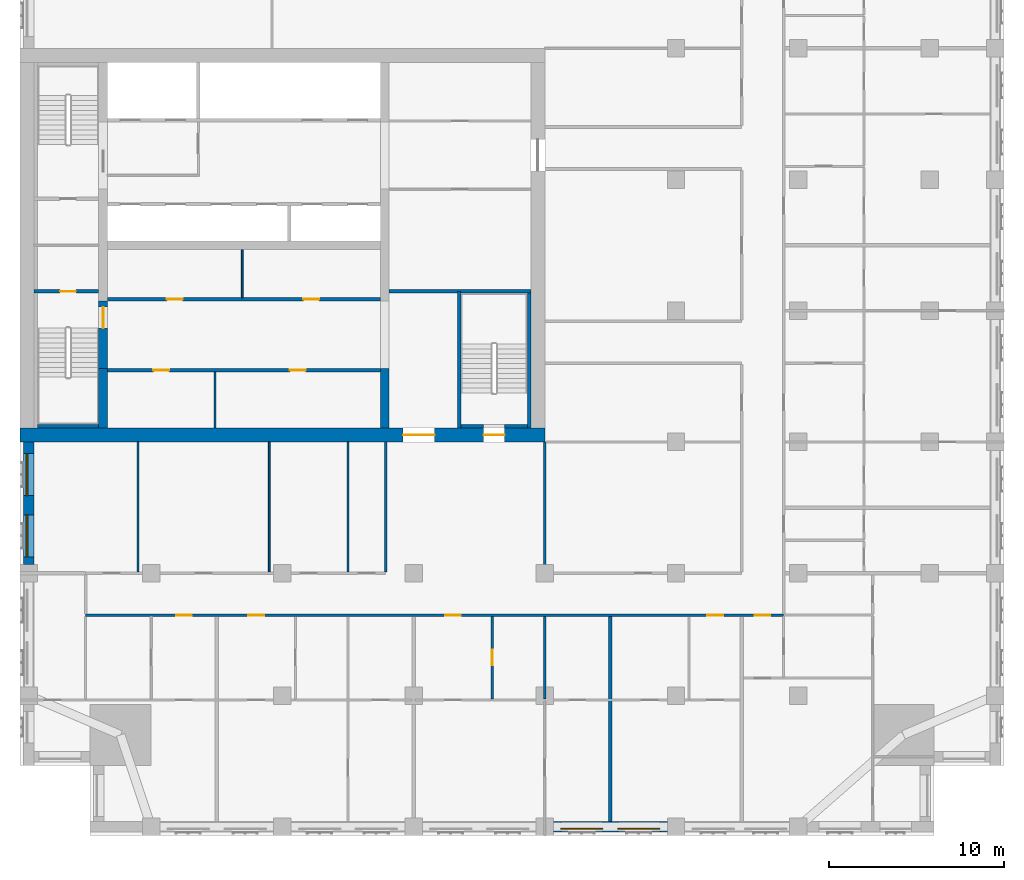
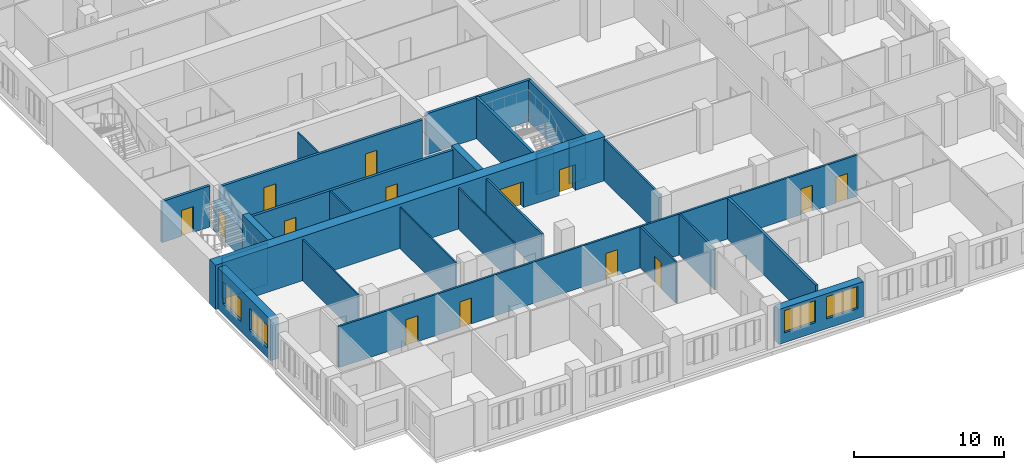
# One storey, part 5 of 14: 26 walls, 14 doors, 4 windows, 18 openings.
"""IFC4 building model written with IfcOpenShell, lengths in metres."""

from ifc_helpers import new_model, si_unit, direction, frame, frame_2d, origin, place, context, subcontext, project, spatial, rectangle, extrude, material, layer, layer_set, type_object, element, fill, save


model = new_model("IFC4")

# Units and contexts
model_context = context("Model", 3, precision=1e-05, world=origin(), true_north=direction((0.0, 1.0)))
body_context = subcontext(model_context, "Body", "Model", "MODEL_VIEW")
ifc_project = project(units=[si_unit("LENGTHUNIT", "METRE"), si_unit("AREAUNIT", "SQUARE_METRE"), si_unit("VOLUMEUNIT", "CUBIC_METRE"), si_unit("PLANEANGLEUNIT", "RADIAN"), si_unit("MASSUNIT", "GRAM", prefix="KILO")], contexts=[model_context])

# Site, building, storey
site_placement = place(None, origin())
site = spatial("IfcSite", under=ifc_project, at=site_placement, CompositionType="ELEMENT")
building_placement = place(site_placement, origin())
building = spatial("IfcBuilding", under=site, at=building_placement, Name="Tamorin Gate", CompositionType="ELEMENT")
storey_placement = place(building_placement, frame((0.0, 0.0, 137.39990234375)))
storey = spatial("IfcBuildingStorey", under=building, at=storey_placement, Name="L33", CompositionType="ELEMENT", Elevation=137.39990234375)

# Wall, openings, windows
ifc_material_1 = material(Name="Precast concrete C40/50", Category="concrete")
ifc_layer_1 = layer(ifc_material_1, 0.60009765625)
ifc_layer_set_1 = layer_set([ifc_layer_1], Name="Precast concrete C40/50")
wall_type_1 = type_object("IfcWallType", Name="Board-marked concrete facade panel 600", PredefinedType="SOLIDWALL", material=ifc_layer_set_1)
wall_1_placement = place(storey_placement, frame((60.5, 38.0, 0.0), z_axis=(0.0, 0.0, 1.0), x_axis=(1.0, 0.0, 0.0)))
wall_1 = element("IfcWall", 1, at=wall_1_placement, inside=storey, type_object=wall_type_1, Name="Facade panel", PredefinedType="SOLIDWALL", context=body_context, shape_type="SweptSolid", body=[
    extrude(rectangle(XDim=6.5, YDim=0.60009765625, at=frame_2d((3.25, 0.0))), origin(), (0.0, 0.0, 1.0), 2.85009765625),
])
opening_1_placement = place(wall_1_placement, frame((0.425048828125, 0.0, 0.800048828125)))
opening_1 = element("IfcOpeningElement", 2, at=opening_1_placement, cuts=wall_1, Name="Opening WN1", PredefinedType="OPENING", context=body_context, shape_type="SweptSolid", body=[
    extrude(rectangle(XDim=2.39990234375, YDim=1.800048828125, at=frame_2d((1.199951171875, 0.89990234375))), frame((0.0, 0.31005859375, 0.0), z_axis=(0.0, -1.0, 0.0), x_axis=(1.0, 0.0, 0.0)), (0.0, 0.0, 1.0), 0.6201171875),
])
opening_2_placement = place(wall_1_placement, frame((3.675048828125, 0.0, 0.800048828125)))
opening_2 = element("IfcOpeningElement", 3, at=opening_2_placement, cuts=wall_1, Name="Opening WN1", PredefinedType="OPENING", context=body_context, shape_type="SweptSolid", body=[
    extrude(rectangle(XDim=2.39990234375, YDim=1.800048828125, at=frame_2d((1.199951171875, 0.89990234375))), frame((0.0, 0.31005859375, 0.0), z_axis=(0.0, -1.0, 0.0), x_axis=(1.0, 0.0, 0.0)), (0.0, 0.0, 1.0), 0.6201171875),
])
ifc_material_2 = material(Name="Clear glass in aluminium frame", Category="aluminium")
window_type = type_object("IfcWindowType", Name="Deep-set window 2400x1800", PartitioningType="SINGLE_PANEL", PredefinedType="WINDOW", material=ifc_material_2)
window_1_placement = place(opening_1_placement, origin())
window_1 = element("IfcWindow", 4, at=window_1_placement, inside=storey, type_object=window_type, Name="Deep-set window", OverallHeight=1.800048828125, OverallWidth=2.39990234375, PartitioningType="SINGLE_PANEL", PredefinedType="WINDOW", context=body_context, shape_type="SweptSolid", body=[
    extrude(rectangle(XDim=2.39990234375, YDim=1.800048828125, at=frame_2d((1.199951171875, 0.89990234375))), frame((0.0, -0.070068359375, 0.0), z_axis=(0.0, -1.0, 0.0), x_axis=(1.0, 0.0, 0.0)), (0.0, 0.0, 1.0), 0.06005859375),
])
fill(opening_1, window_1)
window_2_placement = place(opening_2_placement, origin())
window_2 = element("IfcWindow", 5, at=window_2_placement, inside=storey, type_object=window_type, Name="Deep-set window", OverallHeight=1.800048828125, OverallWidth=2.39990234375, PartitioningType="SINGLE_PANEL", PredefinedType="WINDOW", context=body_context, shape_type="SweptSolid", body=[
    extrude(rectangle(XDim=2.39990234375, YDim=1.800048828125, at=frame_2d((1.199951171875, 0.89990234375))), frame((0.0, -0.070068359375, 0.0), z_axis=(0.0, -1.0, 0.0), x_axis=(1.0, 0.0, 0.0)), (0.0, 0.0, 1.0), 0.06005859375),
])
fill(opening_2, window_2)

wall_2_placement = place(storey_placement, frame((30.5, 60.0, 0.0), z_axis=(0.0, 0.0, 1.0), x_axis=(0.0, -1.0, 0.0)))
wall_2 = element("IfcWall", 6, at=wall_2_placement, inside=storey, type_object=wall_type_1, Name="Facade panel", PredefinedType="SOLIDWALL", context=body_context, shape_type="SweptSolid", body=[
    extrude(rectangle(XDim=7.0, YDim=0.60009765625, at=frame_2d((3.5, 0.0))), origin(), (0.0, 0.0, 1.0), 3.35009765625),
])
opening_3_placement = place(wall_2_placement, frame((4.175048828125, 0.0, 0.800048828125)))
opening_3 = element("IfcOpeningElement", 7, at=opening_3_placement, cuts=wall_2, Name="Opening WN1", PredefinedType="OPENING", context=body_context, shape_type="SweptSolid", body=[
    extrude(rectangle(XDim=2.39990234375, YDim=1.800048828125, at=frame_2d((1.199951171875, 0.89990234375))), frame((0.0, 0.31005859375, 0.0), z_axis=(0.0, -1.0, 0.0), x_axis=(1.0, 0.0, 0.0)), (0.0, 0.0, 1.0), 0.6201171875),
])
opening_4_placement = place(wall_2_placement, frame((0.675048828125, 0.0, 0.800048828125)))
opening_4 = element("IfcOpeningElement", 8, at=opening_4_placement, cuts=wall_2, Name="Opening WN1", PredefinedType="OPENING", context=body_context, shape_type="SweptSolid", body=[
    extrude(rectangle(XDim=2.39990234375, YDim=1.800048828125, at=frame_2d((1.199951171875, 0.89990234375))), frame((0.0, 0.31005859375, 0.0), z_axis=(0.0, -1.0, 0.0), x_axis=(1.0, 0.0, 0.0)), (0.0, 0.0, 1.0), 0.6201171875),
])
window_3_placement = place(opening_3_placement, origin())
window_3 = element("IfcWindow", 9, at=window_3_placement, inside=storey, type_object=window_type, Name="Deep-set window", OverallHeight=1.800048828125, OverallWidth=2.39990234375, PartitioningType="SINGLE_PANEL", PredefinedType="WINDOW", context=body_context, shape_type="SweptSolid", body=[
    extrude(rectangle(XDim=2.39990234375, YDim=1.800048828125, at=frame_2d((1.199951171875, 0.89990234375))), frame((0.0, -0.070068359375, 0.0), z_axis=(0.0, -1.0, 0.0), x_axis=(1.0, 0.0, 0.0)), (0.0, 0.0, 1.0), 0.06005859375),
])
fill(opening_3, window_3)
window_4_placement = place(opening_4_placement, origin())
window_4 = element("IfcWindow", 10, at=window_4_placement, inside=storey, type_object=window_type, Name="Deep-set window", OverallHeight=1.800048828125, OverallWidth=2.39990234375, PartitioningType="SINGLE_PANEL", PredefinedType="WINDOW", context=body_context, shape_type="SweptSolid", body=[
    extrude(rectangle(XDim=2.39990234375, YDim=1.800048828125, at=frame_2d((1.199951171875, 0.89990234375))), frame((0.0, -0.070068359375, 0.0), z_axis=(0.0, -1.0, 0.0), x_axis=(1.0, 0.0, 0.0)), (0.0, 0.0, 1.0), 0.06005859375),
])
fill(opening_4, window_4)

# Wall, openings, doors
ifc_material_3 = material(Name="Gypsum board partition")
ifc_layer_2 = layer(ifc_material_3, 0.14990234375)
ifc_layer_set_2 = layer_set([ifc_layer_2], Name="Corridor wall 150")
wall_type_2 = type_object("IfcWallType", Name="Corridor wall 150", PredefinedType="PARTITIONING", material=ifc_layer_set_2)
wall_3_placement = place(storey_placement, frame((33.75, 50.10009765625, 0.0), z_axis=(0.0, 0.0, 1.0), x_axis=(1.0, 0.0, 0.0)))
wall_3 = element("IfcWall", 11, at=wall_3_placement, inside=storey, type_object=wall_type_2, Name="Corridor wall 150", PredefinedType="PARTITIONING", context=body_context, shape_type="SweptSolid", body=[
    extrude(rectangle(XDim=39.89990234375, YDim=0.14990234375, at=frame_2d((19.949951171875, 0.0))), origin(), (0.0, 0.0, 1.0), 3.35009765625),
])
opening_5_placement = place(wall_3_placement, frame((5.175048828125, 0.0, 0.0)))
opening_5 = element("IfcOpeningElement", 12, at=opening_5_placement, cuts=wall_3, Name="Opening DS3003", PredefinedType="OPENING", context=body_context, shape_type="SweptSolid", body=[
    extrude(rectangle(XDim=0.89990234375, YDim=2.10009765625, at=frame_2d((0.449951171875, 1.050048828125))), frame((0.0, 0.0849609375, 0.0), z_axis=(0.0, -1.0, 0.0), x_axis=(1.0, 0.0, 0.0)), (0.0, 0.0, 1.0), 0.169921875),
])
opening_6_placement = place(wall_3_placement, frame((9.300048828125, 0.0, 0.0)))
opening_6 = element("IfcOpeningElement", 13, at=opening_6_placement, cuts=wall_3, Name="Opening DS3005", PredefinedType="OPENING", context=body_context, shape_type="SweptSolid", body=[
    extrude(rectangle(XDim=0.89990234375, YDim=2.10009765625, at=frame_2d((0.449951171875, 1.050048828125))), frame((0.0, 0.0849609375, 0.0), z_axis=(0.0, -1.0, 0.0), x_axis=(1.0, 0.0, 0.0)), (0.0, 0.0, 1.0), 0.169921875),
])
opening_7_placement = place(wall_3_placement, frame((20.550048828125, 0.0, 0.0)))
opening_7 = element("IfcOpeningElement", 14, at=opening_7_placement, cuts=wall_3, Name="Opening DS3010", PredefinedType="OPENING", context=body_context, shape_type="SweptSolid", body=[
    extrude(rectangle(XDim=0.89990234375, YDim=2.10009765625, at=frame_2d((0.449951171875, 1.050048828125))), frame((0.0, 0.0849609375, 0.0), z_axis=(0.0, -1.0, 0.0), x_axis=(1.0, 0.0, 0.0)), (0.0, 0.0, 1.0), 0.169921875),
])
opening_8_placement = place(wall_3_placement, frame((35.550048828125, 0.0, 0.0)))
opening_8 = element("IfcOpeningElement", 15, at=opening_8_placement, cuts=wall_3, Name="Opening DS3016", PredefinedType="OPENING", context=body_context, shape_type="SweptSolid", body=[
    extrude(rectangle(XDim=0.89990234375, YDim=2.10009765625, at=frame_2d((0.449951171875, 1.050048828125))), frame((0.0, 0.0849609375, 0.0), z_axis=(0.0, -1.0, 0.0), x_axis=(1.0, 0.0, 0.0)), (0.0, 0.0, 1.0), 0.169921875),
])
opening_9_placement = place(wall_3_placement, frame((38.25, 0.0, 0.0)))
opening_9 = element("IfcOpeningElement", 16, at=opening_9_placement, cuts=wall_3, Name="Opening DS3056", PredefinedType="OPENING", context=body_context, shape_type="SweptSolid", body=[
    extrude(rectangle(XDim=0.89990234375, YDim=2.10009765625, at=frame_2d((0.449951171875, 1.050048828125))), frame((0.0, 0.0849609375, 0.0), z_axis=(0.0, -1.0, 0.0), x_axis=(1.0, 0.0, 0.0)), (0.0, 0.0, 1.0), 0.169921875),
])
ifc_material_4 = material(Name="Timber door leaf", Category="wood")
door_type_1 = type_object("IfcDoorType", Name="Door 900 x 2100 FD30S", OperationType="NOTDEFINED", PredefinedType="DOOR", material=ifc_material_4)
door_1_placement = place(opening_5_placement, origin())
door_1 = element("IfcDoor", 17, at=door_1_placement, inside=storey, type_object=door_type_1, Name="Door DS3003", OperationType="SINGLE_SWING_RIGHT", OverallHeight=2.10009765625, OverallWidth=0.89990234375, PredefinedType="DOOR", context=body_context, shape_type="SweptSolid", body=[
    extrude(rectangle(XDim=0.89990234375, YDim=2.10009765625, at=frame_2d((0.449951171875, 1.050048828125))), frame((0.0, 0.02490234375, 0.0), z_axis=(0.0, -1.0, 0.0), x_axis=(1.0, 0.0, 0.0)), (0.0, 0.0, 1.0), 0.050048828125),
])
fill(opening_5, door_1)
door_2_placement = place(opening_6_placement, origin())
door_2 = element("IfcDoor", 18, at=door_2_placement, inside=storey, type_object=door_type_1, Name="Door DS3005", OperationType="SINGLE_SWING_RIGHT", OverallHeight=2.10009765625, OverallWidth=0.89990234375, PredefinedType="DOOR", context=body_context, shape_type="SweptSolid", body=[
    extrude(rectangle(XDim=0.89990234375, YDim=2.10009765625, at=frame_2d((0.449951171875, 1.050048828125))), frame((0.0, 0.02490234375, 0.0), z_axis=(0.0, -1.0, 0.0), x_axis=(1.0, 0.0, 0.0)), (0.0, 0.0, 1.0), 0.050048828125),
])
fill(opening_6, door_2)
door_3_placement = place(opening_7_placement, origin())
door_3 = element("IfcDoor", 19, at=door_3_placement, inside=storey, type_object=door_type_1, Name="Door DS3010", OperationType="SINGLE_SWING_RIGHT", OverallHeight=2.10009765625, OverallWidth=0.89990234375, PredefinedType="DOOR", context=body_context, shape_type="SweptSolid", body=[
    extrude(rectangle(XDim=0.89990234375, YDim=2.10009765625, at=frame_2d((0.449951171875, 1.050048828125))), frame((0.0, 0.02490234375, 0.0), z_axis=(0.0, -1.0, 0.0), x_axis=(1.0, 0.0, 0.0)), (0.0, 0.0, 1.0), 0.050048828125),
])
fill(opening_7, door_3)
door_4_placement = place(opening_8_placement, origin())
door_4 = element("IfcDoor", 20, at=door_4_placement, inside=storey, type_object=door_type_1, Name="Door DS3016", OperationType="SINGLE_SWING_RIGHT", OverallHeight=2.10009765625, OverallWidth=0.89990234375, PredefinedType="DOOR", context=body_context, shape_type="SweptSolid", body=[
    extrude(rectangle(XDim=0.89990234375, YDim=2.10009765625, at=frame_2d((0.449951171875, 1.050048828125))), frame((0.0, 0.02490234375, 0.0), z_axis=(0.0, -1.0, 0.0), x_axis=(1.0, 0.0, 0.0)), (0.0, 0.0, 1.0), 0.050048828125),
])
fill(opening_8, door_4)
door_5_placement = place(opening_9_placement, origin())
door_5 = element("IfcDoor", 21, at=door_5_placement, inside=storey, type_object=door_type_1, Name="Door DS3056", OperationType="SINGLE_SWING_LEFT", OverallHeight=2.10009765625, OverallWidth=0.89990234375, PredefinedType="DOOR", context=body_context, shape_type="SweptSolid", body=[
    extrude(rectangle(XDim=0.89990234375, YDim=2.10009765625, at=frame_2d((0.449951171875, 1.050048828125))), frame((0.0, 0.02490234375, 0.0), z_axis=(0.0, -1.0, 0.0), x_axis=(1.0, 0.0, 0.0)), (0.0, 0.0, 1.0), 0.050048828125),
])
fill(opening_9, door_5)

# Walls
ifc_layer_3 = layer(ifc_material_3, 0.199951171875)
ifc_layer_set_3 = layer_set([ifc_layer_3], Name="Demising wall 200")
wall_type_3 = type_object("IfcWallType", Name="Demising wall 200", PredefinedType="PARTITIONING", material=ifc_layer_set_3)
wall_4_placement = place(storey_placement, frame((63.75, 38.31005859375, 0.0), z_axis=(0.0, 0.0, 1.0), x_axis=(0.0, 1.0, 0.0)))
element("IfcWall", 22, at=wall_4_placement, inside=storey, type_object=wall_type_3, Name="Demising wall 200", PredefinedType="PARTITIONING", context=body_context, shape_type="SweptSolid", body=[
    extrude(rectangle(XDim=11.71484375, YDim=0.199951171875, at=frame_2d((5.857421875, 0.0))), origin(), (0.0, 0.0, 1.0), 3.35009765625),
])
ifc_layer_4 = layer(ifc_material_3, 0.14990234375)
ifc_layer_set_4 = layer_set([ifc_layer_4], Name="Lobby wall 150")
wall_type_4 = type_object("IfcWallType", Name="Lobby wall 150", PredefinedType="PARTITIONING", material=ifc_layer_set_4)
for number, where, z_axis, x_axis, name in (
    (23, (50.89990234375, 52.574951171875, 0.0), (0.0, 0.0, 1.0), (0.0, 1.0, 0.0), "Lobby wall 150"),
    (24, (60.0, 52.574951171875, 0.0), (0.0, 0.0, 1.0), (0.0, 1.0, 0.0), "Lobby wall 150"),
):
    element("IfcWall", number, at=place(storey_placement, frame(where, z_axis=z_axis, x_axis=x_axis)), inside=storey, type_object=wall_type_4, Name=name, PredefinedType="PARTITIONING", context=body_context, shape_type="SweptSolid", body=[
        extrude(rectangle(XDim=7.425048828125, YDim=0.14990234375, at=frame_2d((3.71240234375, 0.0))), origin(), (0.0, 0.0, 1.0), 3.35009765625),
    ])
ifc_material_5 = material(Name="Concrete C60/75", Category="concrete")
ifc_layer_5 = layer(ifc_material_5, 0.5)
ifc_layer_set_5 = layer_set([ifc_layer_5], Name="RC core internal wall 500 C60/75")
wall_type_5 = type_object("IfcWallType", Name="RC core internal wall 500 C60/75", PredefinedType="SHEAR", material=ifc_layer_set_5)
for number, where, z_axis, x_axis, name in (
    (25, (34.75, 60.800048828125, 0.0), (0.0, 0.0, 1.0), (0.0, 1.0, 0.0), "Core cross wall L33"),
    (26, (50.85009765625, 60.800048828125, 0.0), (0.0, 0.0, 1.0), (0.0, 1.0, 0.0), "Core cross wall L33"),
):
    element("IfcWall", number, at=place(storey_placement, frame(where, z_axis=z_axis, x_axis=x_axis)), inside=storey, type_object=wall_type_5, Name=name, PredefinedType="SHEAR", context=body_context, shape_type="SweptSolid", body=[
        extrude(rectangle(XDim=3.39990234375, YDim=0.5, at=frame_2d((1.699951171875, 0.0))), origin(), (0.0, 0.0, 1.0), 3.60009765625),
    ])

# Wall, openings, doors
ifc_layer_6 = layer(ifc_material_5, 0.800048828125)
ifc_layer_set_6 = layer_set([ifc_layer_6], Name="RC core wall 800 C60/75")
wall_type_6 = type_object("IfcWallType", Name="RC core wall 800 C60/75", PredefinedType="SHEAR", material=ifc_layer_set_6)
wall_5_placement = place(storey_placement, frame((30.0, 60.39990234375, 0.0), z_axis=(0.0, 0.0, 1.0), x_axis=(1.0, 0.0, 0.0)))
wall_5 = element("IfcWall", 27, at=wall_5_placement, inside=storey, type_object=wall_type_6, Name="Core wall L33", PredefinedType="SHEAR", context=body_context, shape_type="SweptSolid", body=[
    extrude(rectangle(XDim=30.0, YDim=0.800048828125, at=frame_2d((15.0, 0.0))), origin(), (0.0, 0.0, 1.0), 3.60009765625),
])
opening_10_placement = place(wall_5_placement, frame((21.89990234375, 0.0, 0.0)))
opening_10 = element("IfcOpeningElement", 28, at=opening_10_placement, cuts=wall_5, Name="Opening DE1", PredefinedType="OPENING", context=body_context, shape_type="SweptSolid", body=[
    extrude(rectangle(XDim=1.800048828125, YDim=2.10009765625, at=frame_2d((0.89990234375, 1.050048828125))), frame((0.0, 0.409912109375, 0.0), z_axis=(0.0, -1.0, 0.0), x_axis=(1.0, 0.0, 0.0)), (0.0, 0.0, 1.0), 0.820068359375),
])
opening_11_placement = place(wall_5_placement, frame((26.5, 0.0, 0.0)))
opening_11 = element("IfcOpeningElement", 29, at=opening_11_placement, cuts=wall_5, Name="Opening DS1", PredefinedType="OPENING", context=body_context, shape_type="SweptSolid", body=[
    extrude(rectangle(XDim=1.199951171875, YDim=2.10009765625, at=frame_2d((0.60009765625, 1.050048828125))), frame((0.0, 0.409912109375, 0.0), z_axis=(0.0, -1.0, 0.0), x_axis=(1.0, 0.0, 0.0)), (0.0, 0.0, 1.0), 0.820068359375),
])
ifc_material_6 = material(Name="Steel fire door", Category="steel")
door_type_2 = type_object("IfcDoorType", Name="Lobby exit double door 1800 x 2100 EI 60", OperationType="DOUBLE_DOOR_SINGLE_SWING", PredefinedType="DOOR", material=ifc_material_6)
door_6_placement = place(opening_10_placement, origin())
door_6 = element("IfcDoor", 30, at=door_6_placement, inside=storey, type_object=door_type_2, Name="Lift lobby A exit door", OperationType="DOUBLE_DOOR_SINGLE_SWING", OverallHeight=2.10009765625, OverallWidth=1.800048828125, PredefinedType="DOOR", context=body_context, shape_type="SweptSolid", body=[
    extrude(rectangle(XDim=1.800048828125, YDim=2.10009765625, at=frame_2d((0.89990234375, 1.050048828125))), frame((0.0, 0.02490234375, 0.0), z_axis=(0.0, -1.0, 0.0), x_axis=(1.0, 0.0, 0.0)), (0.0, 0.0, 1.0), 0.050048828125),
])
fill(opening_10, door_6)
door_type_3 = type_object("IfcDoorType", Name="Stair door 1200 x 2100 EI 90", OperationType="SINGLE_SWING_LEFT", PredefinedType="DOOR", material=ifc_material_6)
door_7_placement = place(opening_11_placement, origin())
door_7 = element("IfcDoor", 31, at=door_7_placement, inside=storey, type_object=door_type_3, Name="ST3 door", OperationType="SINGLE_SWING_LEFT", OverallHeight=2.10009765625, OverallWidth=1.199951171875, PredefinedType="DOOR", context=body_context, shape_type="SweptSolid", body=[
    extrude(rectangle(XDim=1.199951171875, YDim=2.10009765625, at=frame_2d((0.60009765625, 1.050048828125))), frame((0.0, 0.02490234375, 0.0), z_axis=(0.0, -1.0, 0.0), x_axis=(1.0, 0.0, 0.0)), (0.0, 0.0, 1.0), 0.050048828125),
])
fill(opening_11, door_7)

# Walls
ifc_layer_7 = layer(ifc_material_3, 0.10009765625)
ifc_layer_set_7 = layer_set([ifc_layer_7], Name="Room partition 100")
wall_type_7 = type_object("IfcWallType", Name="Room partition 100", PredefinedType="PARTITIONING", material=ifc_layer_set_7)
for number, where, z_axis, x_axis, name in (
    (32, (36.75, 52.574951171875, 0.0), (0.0, 0.0, 1.0), (0.0, 1.0, 0.0), "Room partition 100"),
    (33, (44.25, 52.574951171875, 0.0), (0.0, 0.0, 1.0), (0.0, 1.0, 0.0), "Room partition 100"),
    (34, (48.75, 52.574951171875, 0.0), (0.0, 0.0, 1.0), (0.0, 1.0, 0.0), "Room partition 100"),
):
    element("IfcWall", number, at=place(storey_placement, frame(where, z_axis=z_axis, x_axis=x_axis)), inside=storey, type_object=wall_type_7, Name=name, PredefinedType="PARTITIONING", context=body_context, shape_type="SweptSolid", body=[
        extrude(rectangle(XDim=7.425048828125, YDim=0.10009765625, at=frame_2d((3.71240234375, 0.0))), origin(), (0.0, 0.0, 1.0), 3.35009765625),
    ])

# Wall, openings, doors
ifc_layer_8 = layer(ifc_material_3, 0.199951171875)
ifc_layer_set_8 = layer_set([ifc_layer_8], Name="Service room face wall 200 EI 60")
wall_type_8 = type_object("IfcWallType", Name="Service room face wall 200 EI 60", PredefinedType="PARTITIONING", material=ifc_layer_set_8)
wall_6_placement = place(storey_placement, frame((35.0, 64.10009765625, 0.0), z_axis=(0.0, 0.0, 1.0), x_axis=(1.0, 0.0, 0.0)))
wall_6 = element("IfcWall", 35, at=wall_6_placement, inside=storey, type_object=wall_type_8, Name="Service room face wall", PredefinedType="PARTITIONING", context=body_context, shape_type="SweptSolid", body=[
    extrude(rectangle(XDim=15.60009765625, YDim=0.199951171875, at=frame_2d((7.800048828125, 0.0))), origin(), (0.0, 0.0, 1.0), 3.35009765625),
])
opening_12_placement = place(wall_6_placement, frame((2.625, 0.0, 0.0)))
opening_12 = element("IfcOpeningElement", 36, at=opening_12_placement, cuts=wall_6, Name="Opening DK1", PredefinedType="OPENING", context=body_context, shape_type="SweptSolid", body=[
    extrude(rectangle(XDim=0.89990234375, YDim=2.10009765625, at=frame_2d((0.449951171875, 1.050048828125))), frame((0.0, 0.10986328125, 0.0), z_axis=(0.0, -1.0, 0.0), x_axis=(1.0, 0.0, 0.0)), (0.0, 0.0, 1.0), 0.219970703125),
])
opening_13_placement = place(wall_6_placement, frame((10.425048828125, 0.0, 0.0)))
opening_13 = element("IfcOpeningElement", 37, at=opening_13_placement, cuts=wall_6, Name="Opening DK1", PredefinedType="OPENING", context=body_context, shape_type="SweptSolid", body=[
    extrude(rectangle(XDim=0.89990234375, YDim=2.10009765625, at=frame_2d((0.449951171875, 1.050048828125))), frame((0.0, 0.10986328125, 0.0), z_axis=(0.0, -1.0, 0.0), x_axis=(1.0, 0.0, 0.0)), (0.0, 0.0, 1.0), 0.219970703125),
])
ifc_material_7 = material(Name="Timber fire door", Category="wood")
door_type_4 = type_object("IfcDoorType", Name="Service room door 900 x 2100 EI 60", OperationType="SINGLE_SWING_LEFT", PredefinedType="DOOR", material=ifc_material_7)
door_8_placement = place(opening_12_placement, origin())
door_8 = element("IfcDoor", 38, at=door_8_placement, inside=storey, type_object=door_type_4, Name="Door Pantry", OperationType="SINGLE_SWING_LEFT", OverallHeight=2.10009765625, OverallWidth=0.89990234375, PredefinedType="DOOR", context=body_context, shape_type="SweptSolid", body=[
    extrude(rectangle(XDim=0.89990234375, YDim=2.10009765625, at=frame_2d((0.449951171875, 1.050048828125))), frame((0.0, 0.02490234375, 0.0), z_axis=(0.0, -1.0, 0.0), x_axis=(1.0, 0.0, 0.0)), (0.0, 0.0, 1.0), 0.050048828125),
])
fill(opening_12, door_8)
door_9_placement = place(opening_13_placement, origin())
door_9 = element("IfcDoor", 39, at=door_9_placement, inside=storey, type_object=door_type_4, Name="Door Linen store", OperationType="SINGLE_SWING_RIGHT", OverallHeight=2.10009765625, OverallWidth=0.89990234375, PredefinedType="DOOR", context=body_context, shape_type="SweptSolid", body=[
    extrude(rectangle(XDim=0.89990234375, YDim=2.10009765625, at=frame_2d((0.449951171875, 1.050048828125))), frame((0.0, 0.02490234375, 0.0), z_axis=(0.0, -1.0, 0.0), x_axis=(1.0, 0.0, 0.0)), (0.0, 0.0, 1.0), 0.050048828125),
])
fill(opening_13, door_9)

wall_7_placement = place(storey_placement, frame((35.0, 68.14990234375, 0.0), z_axis=(0.0, 0.0, 1.0), x_axis=(1.0, 0.0, 0.0)))
wall_7 = element("IfcWall", 40, at=wall_7_placement, inside=storey, type_object=wall_type_8, Name="Service room face wall", PredefinedType="PARTITIONING", context=body_context, shape_type="SweptSolid", body=[
    extrude(rectangle(XDim=15.60009765625, YDim=0.199951171875, at=frame_2d((7.800048828125, 0.0))), origin(), (0.0, 0.0, 1.0), 3.35009765625),
])
opening_14_placement = place(wall_7_placement, frame((3.39990234375, 0.0, 0.0)))
opening_14 = element("IfcOpeningElement", 41, at=opening_14_placement, cuts=wall_7, Name="Opening DK1", PredefinedType="OPENING", context=body_context, shape_type="SweptSolid", body=[
    extrude(rectangle(XDim=0.89990234375, YDim=2.10009765625, at=frame_2d((0.449951171875, 1.050048828125))), frame((0.0, 0.10986328125, 0.0), z_axis=(0.0, -1.0, 0.0), x_axis=(1.0, 0.0, 0.0)), (0.0, 0.0, 1.0), 0.219970703125),
])
opening_15_placement = place(wall_7_placement, frame((11.199951171875, 0.0, 0.0)))
opening_15 = element("IfcOpeningElement", 42, at=opening_15_placement, cuts=wall_7, Name="Opening DK1", PredefinedType="OPENING", context=body_context, shape_type="SweptSolid", body=[
    extrude(rectangle(XDim=0.89990234375, YDim=2.10009765625, at=frame_2d((0.449951171875, 1.050048828125))), frame((0.0, 0.10986328125, 0.0), z_axis=(0.0, -1.0, 0.0), x_axis=(1.0, 0.0, 0.0)), (0.0, 0.0, 1.0), 0.219970703125),
])
door_10_placement = place(opening_14_placement, origin())
door_10 = element("IfcDoor", 43, at=door_10_placement, inside=storey, type_object=door_type_4, Name="Door Housekeeping store", OperationType="SINGLE_SWING_LEFT", OverallHeight=2.10009765625, OverallWidth=0.89990234375, PredefinedType="DOOR", context=body_context, shape_type="SweptSolid", body=[
    extrude(rectangle(XDim=0.89990234375, YDim=2.10009765625, at=frame_2d((0.449951171875, 1.050048828125))), frame((0.0, 0.02490234375, 0.0), z_axis=(0.0, -1.0, 0.0), x_axis=(1.0, 0.0, 0.0)), (0.0, 0.0, 1.0), 0.050048828125),
])
fill(opening_14, door_10)
door_11_placement = place(opening_15_placement, origin())
door_11 = element("IfcDoor", 44, at=door_11_placement, inside=storey, type_object=door_type_4, Name="Door Electrical and IT room", OperationType="SINGLE_SWING_RIGHT", OverallHeight=2.10009765625, OverallWidth=0.89990234375, PredefinedType="DOOR", context=body_context, shape_type="SweptSolid", body=[
    extrude(rectangle(XDim=0.89990234375, YDim=2.10009765625, at=frame_2d((0.449951171875, 1.050048828125))), frame((0.0, 0.02490234375, 0.0), z_axis=(0.0, -1.0, 0.0), x_axis=(1.0, 0.0, 0.0)), (0.0, 0.0, 1.0), 0.050048828125),
])
fill(opening_15, door_11)

# Walls
ifc_layer_9 = layer(ifc_material_3, 0.10009765625)
ifc_layer_set_9 = layer_set([ifc_layer_9], Name="Service room partition 100 EI 60")
wall_type_9 = type_object("IfcWallType", Name="Service room partition 100 EI 60", PredefinedType="PARTITIONING", material=ifc_layer_set_9)
wall_8_placement = place(storey_placement, frame((41.14990234375, 60.800048828125, 0.0), z_axis=(0.0, 0.0, 1.0), x_axis=(0.0, 1.0, 0.0)))
element("IfcWall", 45, at=wall_8_placement, inside=storey, type_object=wall_type_9, Name="Service room partition", PredefinedType="PARTITIONING", context=body_context, shape_type="SweptSolid", body=[
    extrude(rectangle(XDim=3.199951171875, YDim=0.10009765625, at=frame_2d((1.60009765625, 0.0))), origin(), (0.0, 0.0, 1.0), 3.35009765625),
])
wall_9_placement = place(storey_placement, frame((42.699951171875, 68.25, 0.0), z_axis=(0.0, 0.0, 1.0), x_axis=(0.0, 1.0, 0.0)))
element("IfcWall", 46, at=wall_9_placement, inside=storey, type_object=wall_type_9, Name="Service room partition", PredefinedType="PARTITIONING", context=body_context, shape_type="SweptSolid", body=[
    extrude(rectangle(XDim=2.75, YDim=0.10009765625, at=frame_2d((1.375, 0.0))), origin(), (0.0, 0.0, 1.0), 3.35009765625),
])

# Wall, opening, door
ifc_material_8 = material(Name="Concrete C40/50", Category="concrete")
ifc_layer_10 = layer(ifc_material_8, 0.199951171875)
ifc_layer_set_10 = layer_set([ifc_layer_10], Name="Stair enclosure wall 200 EI 120 C40/50")
wall_type_10 = type_object("IfcWallType", Name="Stair enclosure wall 200 EI 120 C40/50", PredefinedType="SOLIDWALL", material=ifc_layer_set_10)
wall_10_placement = place(storey_placement, frame((30.800048828125, 68.60009765625, 0.0), z_axis=(0.0, 0.0, 1.0), x_axis=(1.0, 0.0, 0.0)))
wall_10 = element("IfcWall", 47, at=wall_10_placement, inside=storey, type_object=wall_type_10, Name="Stair enclosure wall", PredefinedType="SOLIDWALL", context=body_context, shape_type="SweptSolid", body=[
    extrude(rectangle(XDim=3.699951171875, YDim=0.199951171875, at=frame_2d((1.85009765625, 0.0))), origin(), (0.0, 0.0, 1.0), 3.35009765625),
])
opening_16_placement = place(wall_10_placement, frame((1.5, 0.0, 0.0)))
opening_16 = element("IfcOpeningElement", 48, at=opening_16_placement, cuts=wall_10, Name="Opening DR1", PredefinedType="OPENING", context=body_context, shape_type="SweptSolid", body=[
    extrude(rectangle(XDim=0.89990234375, YDim=2.10009765625, at=frame_2d((0.449951171875, 1.050048828125))), frame((0.0, 0.10986328125, 0.0), z_axis=(0.0, -1.0, 0.0), x_axis=(1.0, 0.0, 0.0)), (0.0, 0.0, 1.0), 0.219970703125),
])
door_type_5 = type_object("IfcDoorType", Name="Riser access door 900 x 2100 EI 120", OperationType="SINGLE_SWING_LEFT", PredefinedType="DOOR", material=ifc_material_6)
door_12_placement = place(opening_16_placement, origin())
door_12 = element("IfcDoor", 49, at=door_12_placement, inside=storey, type_object=door_type_5, Name="Electrical riser door", OperationType="SINGLE_SWING_LEFT", OverallHeight=2.10009765625, OverallWidth=0.89990234375, PredefinedType="DOOR", context=body_context, shape_type="SweptSolid", body=[
    extrude(rectangle(XDim=0.89990234375, YDim=2.10009765625, at=frame_2d((0.449951171875, 1.050048828125))), frame((0.0, 0.02490234375, 0.0), z_axis=(0.0, -1.0, 0.0), x_axis=(1.0, 0.0, 0.0)), (0.0, 0.0, 1.0), 0.050048828125),
])
fill(opening_16, door_12)

# Walls
wall_11_placement = place(storey_placement, frame((55.10009765625, 60.800048828125, 0.0), z_axis=(0.0, 0.0, 1.0), x_axis=(0.0, 1.0, 0.0)))
element("IfcWall", 50, at=wall_11_placement, inside=storey, type_object=wall_type_10, Name="Stair enclosure wall", PredefinedType="SOLIDWALL", context=body_context, shape_type="SweptSolid", body=[
    extrude(rectangle(XDim=7.800048828125, YDim=0.199951171875, at=frame_2d((3.89990234375, 0.0))), origin(), (0.0, 0.0, 1.0), 3.35009765625),
])
wall_12_placement = place(storey_placement, frame((51.10009765625, 68.60009765625, 0.0), z_axis=(0.0, 0.0, 1.0), x_axis=(1.0, 0.0, 0.0)))
element("IfcWall", 51, at=wall_12_placement, inside=storey, type_object=wall_type_10, Name="Stair enclosure wall", PredefinedType="SOLIDWALL", context=body_context, shape_type="SweptSolid", body=[
    extrude(rectangle(XDim=8.099853515625, YDim=0.199951171875, at=frame_2d((4.0498046875, 0.0))), origin(), (0.0, 0.0, 1.0), 3.35009765625),
])
ifc_layer_11 = layer(ifc_material_5, 0.199951171875)
ifc_layer_set_11 = layer_set([ifc_layer_11], Name="Stair lining wall 200 EI 120 C60/75")
wall_type_11 = type_object("IfcWallType", Name="Stair lining wall 200 EI 120 C60/75", PredefinedType="SOLIDWALL", material=ifc_layer_set_11)
wall_13_placement = place(storey_placement, frame((31.0, 60.89990234375, 0.0), z_axis=(0.0, 0.0, 1.0), x_axis=(1.0, 0.0, 0.0)))
element("IfcWall", 52, at=wall_13_placement, inside=storey, type_object=wall_type_11, Name="Stair lining wall", PredefinedType="SOLIDWALL", context=body_context, shape_type="SweptSolid", body=[
    extrude(rectangle(XDim=3.5, YDim=0.199951171875, at=frame_2d((1.75, 0.0))), origin(), (0.0, 0.0, 1.0), 3.35009765625),
])
for number, where, z_axis, x_axis, name in (
    (53, (55.199951171875, 60.89990234375, 0.0), (0.0, 0.0, 1.0), (1.0, 0.0, 0.0), "Stair lining wall"),
    (54, (57.699951171875, 60.89990234375, 0.0), (0.0, 0.0, 1.0), (1.0, 0.0, 0.0), "Stair lining wall"),
):
    element("IfcWall", number, at=place(storey_placement, frame(where, z_axis=z_axis, x_axis=x_axis)), inside=storey, type_object=wall_type_11, Name=name, PredefinedType="SOLIDWALL", context=body_context, shape_type="SweptSolid", body=[
        extrude(rectangle(XDim=1.300048828125, YDim=0.199951171875, at=frame_2d((0.64990234375, 0.0))), origin(), (0.0, 0.0, 1.0), 3.35009765625),
    ])
wall_14_placement = place(storey_placement, frame((59.10009765625, 60.800048828125, 0.0), z_axis=(0.0, 0.0, 1.0), x_axis=(0.0, 1.0, 0.0)))
element("IfcWall", 55, at=wall_14_placement, inside=storey, type_object=wall_type_11, Name="Stair lining wall", PredefinedType="SOLIDWALL", context=body_context, shape_type="SweptSolid", body=[
    extrude(rectangle(XDim=7.699951171875, YDim=0.199951171875, at=frame_2d((3.85009765625, 0.0))), origin(), (0.0, 0.0, 1.0), 3.35009765625),
])

# Wall, opening, door
ifc_material_9 = material(Name="Concrete C32/40", Category="concrete")
ifc_layer_12 = layer(ifc_material_9, 0.5)
ifc_layer_set_12 = layer_set([ifc_layer_12], Name="Stair lobby infill wall 500 EI 120")
wall_type_12 = type_object("IfcWallType", Name="Stair lobby infill wall 500 EI 120", PredefinedType="SOLIDWALL", material=ifc_layer_set_12)
wall_15_placement = place(storey_placement, frame((34.75, 64.199951171875, 0.0), z_axis=(0.0, 0.0, 1.0), x_axis=(0.0, 1.0, 0.0)))
wall_15 = element("IfcWall", 56, at=wall_15_placement, inside=storey, type_object=wall_type_12, Name="Stair lobby infill wall", PredefinedType="SOLIDWALL", context=body_context, shape_type="SweptSolid", body=[
    extrude(rectangle(XDim=3.85009765625, YDim=0.5, at=frame_2d((1.925048828125, 0.0))), origin(), (0.0, 0.0, 1.0), 2.400146484375),
])
opening_17_placement = place(wall_15_placement, frame((2.300048828125, 0.0, 0.0)))
opening_17 = element("IfcOpeningElement", 57, at=opening_17_placement, cuts=wall_15, Name="Opening DS1", PredefinedType="OPENING", context=body_context, shape_type="SweptSolid", body=[
    extrude(rectangle(XDim=1.199951171875, YDim=2.10009765625, at=frame_2d((0.60009765625, 1.050048828125))), frame((0.0, 0.260009765625, 0.0), z_axis=(0.0, -1.0, 0.0), x_axis=(1.0, 0.0, 0.0)), (0.0, 0.0, 1.0), 0.52001953125),
])
door_13_placement = place(opening_17_placement, origin())
door_13 = element("IfcDoor", 58, at=door_13_placement, inside=storey, type_object=door_type_3, Name="ST1 door", OperationType="SINGLE_SWING_LEFT", OverallHeight=2.10009765625, OverallWidth=1.199951171875, PredefinedType="DOOR", context=body_context, shape_type="SweptSolid", body=[
    extrude(rectangle(XDim=1.199951171875, YDim=2.10009765625, at=frame_2d((0.60009765625, 1.050048828125))), frame((0.0, 0.02490234375, 0.0), z_axis=(0.0, -1.0, 0.0), x_axis=(1.0, 0.0, 0.0)), (0.0, 0.0, 1.0), 0.050048828125),
])
fill(opening_17, door_13)

ifc_layer_13 = layer(ifc_material_3, 0.125)
ifc_layer_set_13 = layer_set([ifc_layer_13], Name="Wet wall 125")
wall_type_13 = type_object("IfcWallType", Name="Wet wall 125", PredefinedType="PARTITIONING", material=ifc_layer_set_13)
wall_16_placement = place(storey_placement, frame((57.0, 45.3125, 0.0), z_axis=(0.0, 0.0, 1.0), x_axis=(0.0, 1.0, 0.0)))
wall_16 = element("IfcWall", 59, at=wall_16_placement, inside=storey, type_object=wall_type_13, Name="Wet wall 125", PredefinedType="PARTITIONING", context=body_context, shape_type="SweptSolid", body=[
    extrude(rectangle(XDim=4.71240234375, YDim=0.125, at=frame_2d((2.356201171875, 0.0))), origin(), (0.0, 0.0, 1.0), 3.35009765625),
])
opening_18_placement = place(wall_16_placement, frame((1.91259765625, 0.0, 0.0)))
opening_18 = element("IfcOpeningElement", 60, at=opening_18_placement, cuts=wall_16, Name="Opening DS3012", PredefinedType="OPENING", context=body_context, shape_type="SweptSolid", body=[
    extrude(rectangle(XDim=0.89990234375, YDim=2.10009765625, at=frame_2d((0.449951171875, 1.050048828125))), frame((0.0, 0.072509765625, 0.0), z_axis=(0.0, -1.0, 0.0), x_axis=(1.0, 0.0, 0.0)), (0.0, 0.0, 1.0), 0.14501953125),
])
door_type_6 = type_object("IfcDoorType", Name="Door 900 x 2100", OperationType="NOTDEFINED", PredefinedType="DOOR", material=ifc_material_4)
door_14_placement = place(opening_18_placement, origin())
door_14 = element("IfcDoor", 61, at=door_14_placement, inside=storey, type_object=door_type_6, Name="Door DS3012", OperationType="SINGLE_SWING_LEFT", OverallHeight=2.10009765625, OverallWidth=0.89990234375, PredefinedType="DOOR", context=body_context, shape_type="SweptSolid", body=[
    extrude(rectangle(XDim=0.89990234375, YDim=2.10009765625, at=frame_2d((0.449951171875, 1.050048828125))), frame((0.0, 0.02490234375, 0.0), z_axis=(0.0, -1.0, 0.0), x_axis=(1.0, 0.0, 0.0)), (0.0, 0.0, 1.0), 0.050048828125),
])
fill(opening_18, door_14)

# Wall
wall_17_placement = place(storey_placement, frame((60.0, 45.3125, 0.0), z_axis=(0.0, 0.0, 1.0), x_axis=(0.0, 1.0, 0.0)))
element("IfcWall", 62, at=wall_17_placement, inside=storey, type_object=wall_type_13, Name="Wet wall 125", PredefinedType="PARTITIONING", context=body_context, shape_type="SweptSolid", body=[
    extrude(rectangle(XDim=4.71240234375, YDim=0.125, at=frame_2d((2.356201171875, 0.0))), origin(), (0.0, 0.0, 1.0), 3.35009765625),
])

save(model, "model.ifc")
